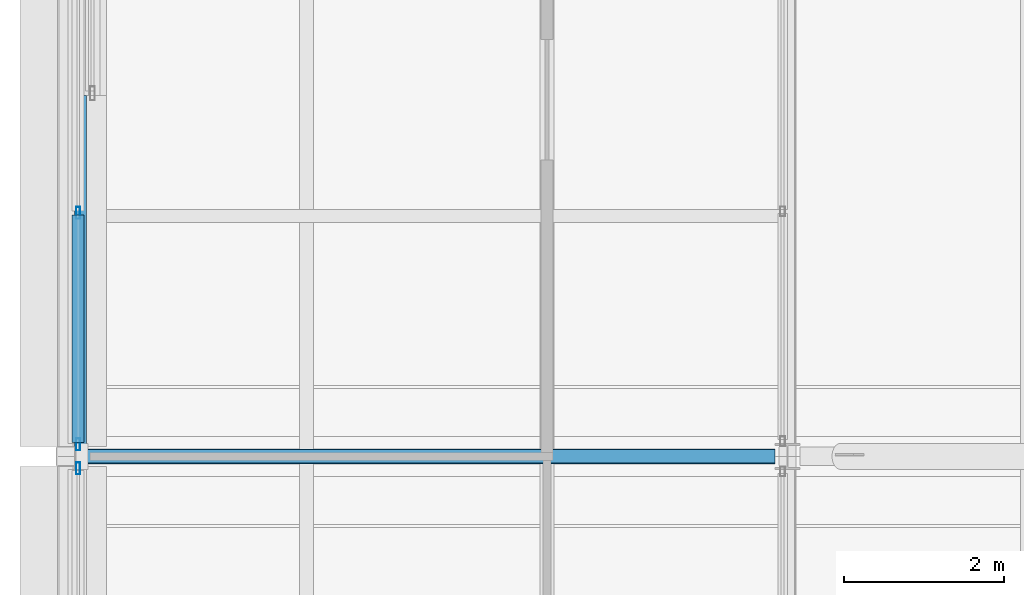
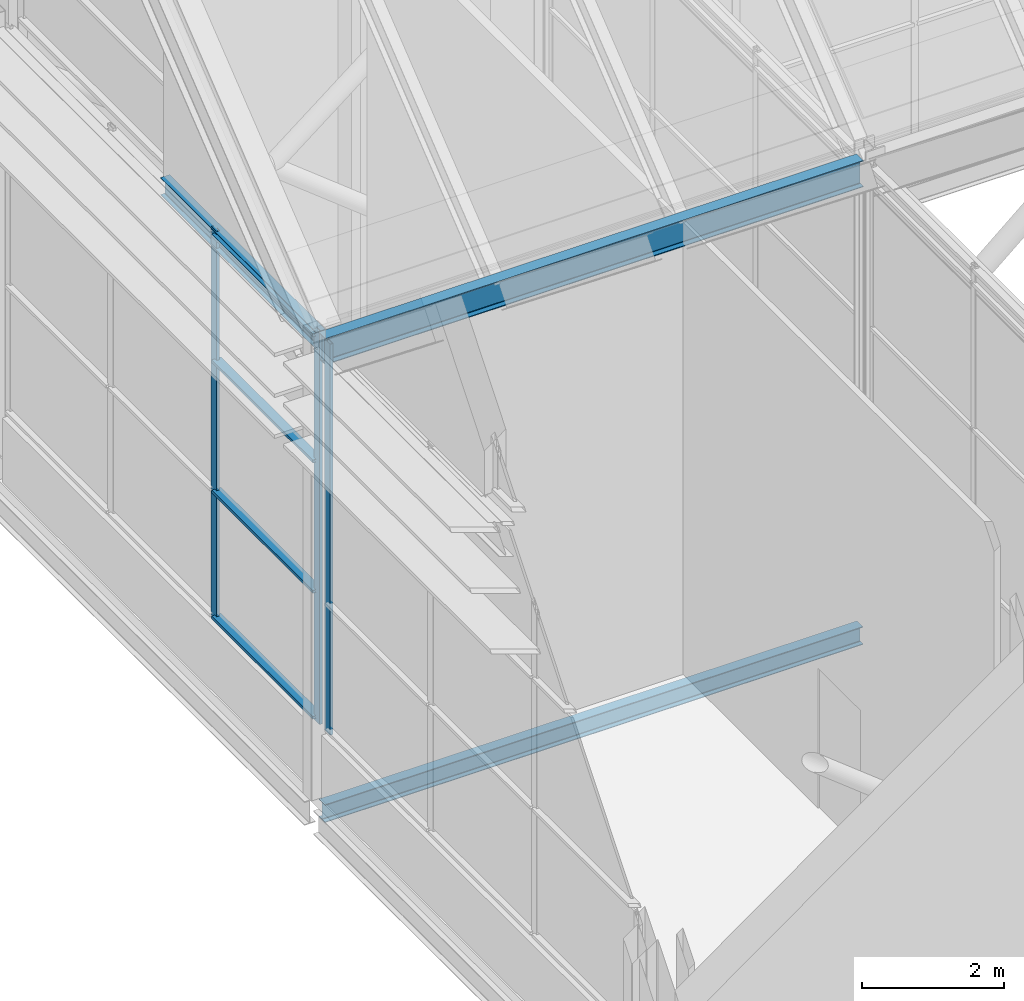
# One storey, part 33 of 144: 7 members, 3 beams, 2 elements without a shape of their own.
"""IFC4 building model written with IfcOpenShell, lengths in metres."""

from ifc_helpers import new_model, si_unit, direction, frame, origin, origin_2d, place, context, subcontext, project, spatial, hollow_rectangle, i_section, extrude, material, layer, layer_set, material_profile, profile_set, type_object, element, aggregate, save


model = new_model("IFC4")

# Units and contexts
model_context = context("Model", 3, precision=1e-05, world=origin(), true_north=direction((0.0, 1.0)))
body_context = subcontext(model_context, "Body", "Model", "MODEL_VIEW")
ifc_project = project(units=[si_unit("LENGTHUNIT", "METRE"), si_unit("AREAUNIT", "SQUARE_METRE"), si_unit("VOLUMEUNIT", "CUBIC_METRE"), si_unit("PLANEANGLEUNIT", "RADIAN"), si_unit("MASSUNIT", "GRAM", prefix="KILO")], contexts=[model_context])

# Site, building, storey
site_placement = place(None, origin())
site = spatial("IfcSite", under=ifc_project, at=site_placement, CompositionType="ELEMENT")
building_placement = place(site_placement, origin())
building = spatial("IfcBuilding", under=site, at=building_placement, Name="Shorebreak Coast Museum", CompositionType="ELEMENT")
storey_placement = place(building_placement, frame((0.0, 0.0, 36.0)))
storey = spatial("IfcBuildingStorey", under=building, at=storey_placement, Name="L06", CompositionType="ELEMENT", Elevation=36.0)

# Beams
ifc_material_1 = material(Name="Steel Grade 300", Category="steel")
ifc_material_profile_1 = material_profile(ifc_material_1, i_section(OverallWidth=0.166015625, OverallDepth=0.30712890625, WebThickness=0.006591796875, FlangeThickness=0.01171875, FilletRadius=0.011474609375, at=origin_2d()), Name="310UB46.2")
ifc_profile_set_1 = profile_set([ifc_material_profile_1], Name="Steel Grade 300")
beam_type_1 = type_object("IfcBeamType", Name="Floor girder east-west 310UB46.2", PredefinedType="BEAM", material=ifc_profile_set_1)
beam_1_placement = place(storey_placement, frame((54.125, 72.0, -0.32861328125), z_axis=(1.0, 0.0, 0.0), x_axis=(0.0, 1.0, 0.0)))
element("IfcBeam", 1, at=beam_1_placement, inside=storey, type_object=beam_type_1, Name="Floor girder east-west L06 7J", PredefinedType="BEAM", context=body_context, shape_type="SweptSolid", body=[
    extrude(i_section(OverallWidth=0.166015625, OverallDepth=0.30712890625, WebThickness=0.006591796875, FlangeThickness=0.01171875, FilletRadius=0.011474609375, at=origin_2d()), origin(), (0.0, 0.0, 1.0), 8.719482421875),
])
ifc_material_2 = material(Name="Steel Grade 300", Category="steel")
ifc_material_profile_2 = material_profile(ifc_material_2, i_section(OverallWidth=0.18994140625, OverallDepth=0.453857421875, WebThickness=0.008544921875, FlangeThickness=0.0126953125, FilletRadius=0.011474609375, at=origin_2d()), Name="460UB67.1")
ifc_profile_set_2 = profile_set([ifc_material_profile_2], Name="Steel Grade 300")
beam_type_2 = type_object("IfcBeamType", Name="Fold valley girder 460UB67.1", PredefinedType="BEAM", material=ifc_profile_set_2)
beam_2_placement = place(storey_placement, frame((54.125, 72.0, 7.593017578125), z_axis=(1.0, 0.0, 0.0), x_axis=(0.0, 1.0, 0.0)))
element("IfcBeam", 2, at=beam_2_placement, inside=storey, type_object=beam_type_2, Name="Fold valley girder FOLD-X line J bay 7J", PredefinedType="BEAM", context=body_context, shape_type="SweptSolid", body=[
    extrude(i_section(OverallWidth=0.18994140625, OverallDepth=0.453857421875, WebThickness=0.008544921875, FlangeThickness=0.0126953125, FilletRadius=0.011474609375, at=origin_2d()), origin(), (0.0, 0.0, 1.0), 8.719482421875),
])
ifc_material_3 = material(Name="Steel Grade 300", Category="steel")
ifc_material_profile_3 = material_profile(ifc_material_3, i_section(OverallWidth=0.14892578125, OverallDepth=0.298095703125, WebThickness=0.005615234375, FlangeThickness=0.008056640625, FilletRadius=0.012939453125, at=origin_2d()), Name="310UB32.0")
ifc_profile_set_3 = profile_set([ifc_material_profile_3], Name="Steel Grade 300")
beam_type_3 = type_object("IfcBeamType", Name="Gable base beam 310UB32.0", PredefinedType="BEAM", material=ifc_profile_set_3)
beam_3_placement = place(storey_placement, frame((54.179931640625, 72.125, 7.65087890625), z_axis=(0.0, 1.0, 0.0), x_axis=(-1.0, 0.0, 0.0)))
element("IfcBeam", 3, at=beam_3_placement, inside=storey, type_object=beam_type_3, Name="Gable base beam FOLD-X x 54 part 2", PredefinedType="BEAM", context=body_context, shape_type="SweptSolid", body=[
    extrude(i_section(OverallWidth=0.14892578125, OverallDepth=0.298095703125, WebThickness=0.005615234375, FlangeThickness=0.008056640625, FilletRadius=0.012939453125, at=origin_2d()), origin(), (0.0, 0.0, 1.0), 4.375),
])

# Curtain wall, member
ifc_material_4 = material(Name="Aluminium", Category="aluminium")
ifc_layer = layer(ifc_material_4, 0.14990234375)
ifc_layer_set = layer_set([ifc_layer], Name="Aluminium")
curtain_wall_type = type_object("IfcCurtainWallType", Name="Storefront curtain wall", PredefinedType="NOTDEFINED", material=ifc_layer_set)
curtain_wall_1_placement = place(storey_placement, origin())
curtain_wall_1 = element("IfcCurtainWall", 4, at=curtain_wall_1_placement, inside=storey, type_object=curtain_wall_type, Name="Atrium Hall glazing L06 W 27", PredefinedType="NOTDEFINED")
ifc_material_5 = material(Name="Aluminium", Category="aluminium")
ifc_material_profile_4 = material_profile(ifc_material_5, hollow_rectangle(XDim=0.050048828125, YDim=0.14990234375, WallThickness=0.00390625, at=origin_2d()), Name="AL 150x50 RHS")
ifc_profile_set_4 = profile_set([ifc_material_profile_4], Name="Aluminium")
member_type_1 = type_object("IfcMemberType", Name="Storefront mullion 50 x 150", PredefinedType="MULLION", material=ifc_profile_set_4)
member_1_placement = place(storey_placement, frame((54.14990234375, 71.85009765625, 1.10009765625), z_axis=(0.0, 0.0, 1.0), x_axis=(-1.0, 0.0, 0.0)))
member_1 = element("IfcMember", 5, at=member_1_placement, type_object=member_type_1, Name="CW5 mullion 4", PredefinedType="MULLION", context=body_context, shape_type="SweptSolid", body=[
    extrude(hollow_rectangle(XDim=0.050048828125, YDim=0.14990234375, WallThickness=0.00390625, at=origin_2d()), origin(), (0.0, 0.0, 1.0), 6.699951171875),
])
aggregate(curtain_wall_1, [member_1])

# Curtain wall, members
curtain_wall_2_placement = place(storey_placement, origin())
curtain_wall_2 = element("IfcCurtainWall", 6, at=curtain_wall_2_placement, inside=storey, type_object=curtain_wall_type, Name="Atrium Hall glazing L06 W 28", PredefinedType="NOTDEFINED")
member_2_placement = place(storey_placement, frame((54.14990234375, 72.14990234375, 1.10009765625), z_axis=(0.0, 0.0, 1.0), x_axis=(-1.0, 0.0, 0.0)))
member_2 = element("IfcMember", 7, at=member_2_placement, type_object=member_type_1, Name="CW5 mullion 1", PredefinedType="MULLION", context=body_context, shape_type="SweptSolid", body=[
    extrude(hollow_rectangle(XDim=0.050048828125, YDim=0.14990234375, WallThickness=0.00390625, at=origin_2d()), origin(), (0.0, 0.0, 1.0), 6.699951171875),
])
member_3_placement = place(storey_placement, frame((54.14990234375, 75.037109375, 1.10009765625), z_axis=(0.0, 0.0, 1.0), x_axis=(-1.0, 0.0, 0.0)))
member_3 = element("IfcMember", 8, at=member_3_placement, type_object=member_type_1, Name="CW5 mullion 2", PredefinedType="MULLION", context=body_context, shape_type="SweptSolid", body=[
    extrude(hollow_rectangle(XDim=0.050048828125, YDim=0.14990234375, WallThickness=0.00390625, at=origin_2d()), origin(), (0.0, 0.0, 1.0), 6.699951171875),
])
ifc_material_6 = material(Name="Aluminium", Category="aluminium")
ifc_material_profile_5 = material_profile(ifc_material_6, hollow_rectangle(XDim=0.14990234375, YDim=0.050048828125, WallThickness=0.00390625, at=origin_2d()), Name="AL 50x150 RHS")
ifc_profile_set_5 = profile_set([ifc_material_profile_5], Name="Aluminium")
member_type_2 = type_object("IfcMemberType", Name="Storefront transom 150 x 50", PredefinedType="USERDEFINED", material=ifc_profile_set_5)
member_4_placement = place(storey_placement, frame((54.14990234375, 72.175048828125, 1.175048828125), z_axis=(0.0, 1.0, 0.0), x_axis=(-1.0, 0.0, 0.0)))
member_4 = element("IfcMember", 9, at=member_4_placement, type_object=member_type_2, Name="CW5 transom 1.1", ObjectType="TRANSOM", PredefinedType="USERDEFINED", context=body_context, shape_type="SweptSolid", body=[
    extrude(hollow_rectangle(XDim=0.14990234375, YDim=0.050048828125, WallThickness=0.00390625, at=origin_2d()), origin(), (0.0, 0.0, 1.0), 2.8369140625),
])
member_5_placement = place(storey_placement, frame((54.14990234375, 72.175048828125, 3.333251953125), z_axis=(0.0, 1.0, 0.0), x_axis=(-1.0, 0.0, 0.0)))
member_5 = element("IfcMember", 10, at=member_5_placement, type_object=member_type_2, Name="CW5 transom 1.2", ObjectType="TRANSOM", PredefinedType="USERDEFINED", context=body_context, shape_type="SweptSolid", body=[
    extrude(hollow_rectangle(XDim=0.14990234375, YDim=0.050048828125, WallThickness=0.00390625, at=origin_2d()), origin(), (0.0, 0.0, 1.0), 2.8369140625),
])
member_6_placement = place(storey_placement, frame((54.14990234375, 72.175048828125, 5.566650390625), z_axis=(0.0, 1.0, 0.0), x_axis=(-1.0, 0.0, 0.0)))
member_6 = element("IfcMember", 11, at=member_6_placement, type_object=member_type_2, Name="CW5 transom 1.3", ObjectType="TRANSOM", PredefinedType="USERDEFINED", context=body_context, shape_type="SweptSolid", body=[
    extrude(hollow_rectangle(XDim=0.14990234375, YDim=0.050048828125, WallThickness=0.00390625, at=origin_2d()), origin(), (0.0, 0.0, 1.0), 2.8369140625),
])
member_7_placement = place(storey_placement, frame((54.14990234375, 72.175048828125, 7.72509765625), z_axis=(0.0, 1.0, 0.0), x_axis=(-1.0, 0.0, 0.0)))
member_7 = element("IfcMember", 12, at=member_7_placement, type_object=member_type_2, Name="CW5 transom 1.4", ObjectType="TRANSOM", PredefinedType="USERDEFINED", context=body_context, shape_type="SweptSolid", body=[
    extrude(hollow_rectangle(XDim=0.14990234375, YDim=0.050048828125, WallThickness=0.00390625, at=origin_2d()), origin(), (0.0, 0.0, 1.0), 2.8369140625),
])
aggregate(curtain_wall_2, [member_2, member_3, member_4, member_5, member_6, member_7])

save(model, "model.ifc")
